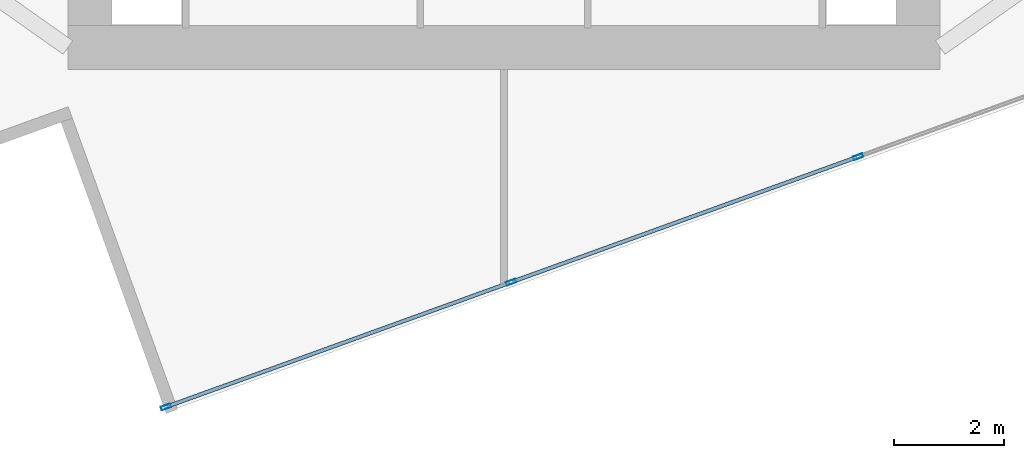
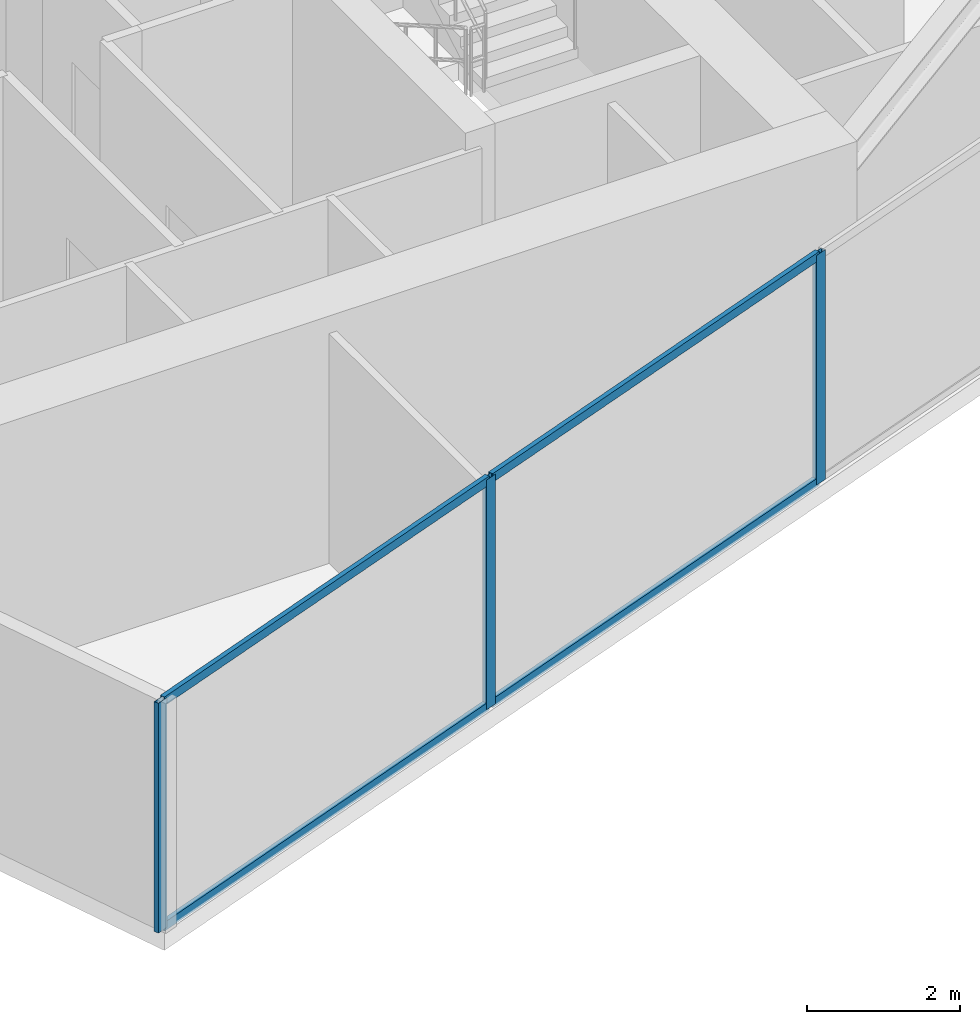
# One storey, part 3 of 21: 7 members, 1 element without a shape of its own.
"""IFC4 building model written with IfcOpenShell, lengths in metres."""

from ifc_helpers import new_model, si_unit, direction, frame, origin, origin_2d, place, context, subcontext, project, spatial, hollow_rectangle, extrude, source, transform, mapped, material, material_profile, profile_set, type_object, type_shapes, element, aggregate, save


model = new_model("IFC4")

# Units and contexts
model_context = context("Model", 3, precision=1e-05, world=origin(), true_north=direction((0.0, 1.0)))
body_context = subcontext(model_context, "Body", "Model", "MODEL_VIEW")
ifc_project = project(units=[si_unit("LENGTHUNIT", "METRE"), si_unit("AREAUNIT", "SQUARE_METRE"), si_unit("VOLUMEUNIT", "CUBIC_METRE"), si_unit("PLANEANGLEUNIT", "RADIAN"), si_unit("MASSUNIT", "GRAM", prefix="KILO")], contexts=[model_context])

# Site, building, storey
site_placement = place(None, origin())
site = spatial("IfcSite", under=ifc_project, at=site_placement, CompositionType="ELEMENT")
building_placement = place(site_placement, origin())
building = spatial("IfcBuilding", under=site, at=building_placement, Name="Krantzveldt Concourse Tower", CompositionType="ELEMENT")
storey_placement = place(building_placement, frame((0.0, 0.0, 335.60009765625)))
storey = spatial("IfcBuildingStorey", under=building, at=storey_placement, Name="L82", CompositionType="ELEMENT", Elevation=335.60009765625)

# Curtain wall, members
ifc_material = material(Name="Anodised aluminium 6063-T6", Category="aluminium")
curtain_wall_type = type_object("IfcCurtainWallType", Name="CW4", PredefinedType="USERDEFINED", material=ifc_material)
curtain_wall_placement = place(storey_placement, origin())
curtain_wall = element("IfcCurtainWall", 1, at=curtain_wall_placement, inside=storey, type_object=curtain_wall_type, Name="CW-L82-F07", ObjectType="UNITISED CURTAIN WALL", PredefinedType="USERDEFINED")
ifc_material_profile_1 = material_profile(ifc_material, hollow_rectangle(XDim=0.070068359375, YDim=0.179931640625, WallThickness=0.0048828125, at=origin_2d()), Name="Anodised aluminium 6063-T6", Category="aluminium")
ifc_profile_set_1 = profile_set([ifc_material_profile_1], Name="Anodised aluminium 6063-T6 - ALU-MULL 180x70x5")
member_type_1 = type_object("IfcMemberType", Name="CW-MUL-180", PredefinedType="MULLION", material=ifc_profile_set_1)
shared_shape_1 = source(origin(), body_context, "Body", "SweptSolid", [
    extrude(hollow_rectangle(XDim=0.070068359375, YDim=0.179931640625, WallThickness=0.0048828125, at=origin_2d()), origin(), (0.0, 0.0, 1.0), 3.669921875),
])
type_shapes(member_type_1, [shared_shape_1])
member_1_placement = place(storey_placement, frame((29.85986328125, 4.37255859375, 0.0), z_axis=(0.0, 0.0, 1.0), x_axis=(-0.339969050563, 0.940436624478, 0.0)))
member_1 = element("IfcMember", 2, at=member_1_placement, type_object=member_type_1, Name="CW-Z56 mullion 1", PredefinedType="MULLION", context=body_context, shape_type="MappedRepresentation", body=[
    mapped(shared_shape_1, transform((0.0, 0.0, 0.0), x_axis=(1.0, 0.0, 0.0), y_axis=(0.0, 1.0, 0.0), z_axis=(0.0, 0.0, 1.0), scale=1.0)),
])
member_2_placement = place(storey_placement, frame((36.1279296875, 6.638671875, 0.0), z_axis=(0.0, 0.0, 1.0), x_axis=(-0.339969050563, 0.940436624478, 0.0)))
member_2 = element("IfcMember", 3, at=member_2_placement, type_object=member_type_1, Name="CW-Z56 mullion 2", PredefinedType="MULLION", context=body_context, shape_type="MappedRepresentation", body=[
    mapped(shared_shape_1, transform((0.0, 0.0, 0.0), x_axis=(1.0, 0.0, 0.0), y_axis=(0.0, 1.0, 0.0), z_axis=(0.0, 0.0, 1.0), scale=1.0)),
])
member_3_placement = place(storey_placement, frame((42.4287109375, 8.916259765625, 0.0), z_axis=(0.0, 0.0, 1.0), x_axis=(-0.339969050563, 0.940436624478, 0.0)))
member_3 = element("IfcMember", 4, at=member_3_placement, type_object=member_type_1, Name="CW-Z56 mullion 3", PredefinedType="MULLION", context=body_context, shape_type="MappedRepresentation", body=[
    mapped(shared_shape_1, transform((0.0, 0.0, 0.0), x_axis=(1.0, 0.0, 0.0), y_axis=(0.0, 1.0, 0.0), z_axis=(0.0, 0.0, 1.0), scale=1.0)),
])
ifc_material_profile_2 = material_profile(ifc_material, hollow_rectangle(XDim=0.070068359375, YDim=0.139892578125, WallThickness=0.0048828125, at=origin_2d()), Name="Anodised aluminium 6063-T6", Category="aluminium")
ifc_profile_set_2 = profile_set([ifc_material_profile_2], Name="Anodised aluminium 6063-T6 - ALU-TRAN 140x70x5")
member_type_2 = type_object("IfcMemberType", Name="CW-TRN-150", PredefinedType="USERDEFINED", material=ifc_profile_set_2)
shared_shape_2 = source(origin(), body_context, "Body", "SweptSolid", [
    extrude(hollow_rectangle(XDim=0.070068359375, YDim=0.139892578125, WallThickness=0.0048828125, at=origin_2d()), origin(), (0.0, 0.0, 1.0), 6.594970703125),
])
member_4_placement = place(storey_placement, frame((29.892822265625, 4.384521484375, 0.034912109375), z_axis=(0.940431638086, 0.339982843811, 0.0), x_axis=(-0.339982843811, 0.940431638086, 0.0)))
member_4 = element("IfcMember", 5, at=member_4_placement, type_object=member_type_2, Name="CW-Z56 transom 1.1", ObjectType="TRANSOM", PredefinedType="USERDEFINED", context=body_context, shape_type="MappedRepresentation", body=[
    mapped(shared_shape_2, transform((0.0, 0.0, 0.0), x_axis=(1.0, 0.0, 0.0), y_axis=(0.0, 1.0, 0.0), z_axis=(0.0, 0.0, 1.0), scale=1.0)),
])
member_5_placement = place(storey_placement, frame((29.892822265625, 4.384521484375, 3.635009765625), z_axis=(0.940431638086, 0.339982843811, 0.0), x_axis=(-0.339982843811, 0.940431638086, 0.0)))
member_5 = element("IfcMember", 6, at=member_5_placement, type_object=member_type_2, Name="CW-Z56 transom 1.2", ObjectType="TRANSOM", PredefinedType="USERDEFINED", context=body_context, shape_type="MappedRepresentation", body=[
    mapped(shared_shape_2, transform((0.0, 0.0, 0.0), x_axis=(1.0, 0.0, 0.0), y_axis=(0.0, 1.0, 0.0), z_axis=(0.0, 0.0, 1.0), scale=1.0)),
])
shared_shape_3 = source(origin(), body_context, "Body", "SweptSolid", [
    extrude(hollow_rectangle(XDim=0.070068359375, YDim=0.139892578125, WallThickness=0.0048828125, at=origin_2d()), origin(), (0.0, 0.0, 1.0), 6.630126953125),
])
type_shapes(member_type_2, [shared_shape_2, shared_shape_3])
member_6_placement = place(storey_placement, frame((36.160888671875, 6.650390625, 0.034912109375), z_axis=(0.940429341199, 0.3399891972, 0.0), x_axis=(-0.3399891972, 0.940429341199, 0.0)))
member_6 = element("IfcMember", 7, at=member_6_placement, type_object=member_type_2, Name="CW-Z56 transom 2.1", ObjectType="TRANSOM", PredefinedType="USERDEFINED", context=body_context, shape_type="MappedRepresentation", body=[
    mapped(shared_shape_3, transform((0.0, 0.0, 0.0), x_axis=(1.0, 0.0, 0.0), y_axis=(0.0, 1.0, 0.0), z_axis=(0.0, 0.0, 1.0), scale=1.0)),
])
member_7_placement = place(storey_placement, frame((36.160888671875, 6.650390625, 3.635009765625), z_axis=(0.940429341199, 0.3399891972, 0.0), x_axis=(-0.3399891972, 0.940429341199, 0.0)))
member_7 = element("IfcMember", 8, at=member_7_placement, type_object=member_type_2, Name="CW-Z56 transom 2.2", ObjectType="TRANSOM", PredefinedType="USERDEFINED", context=body_context, shape_type="MappedRepresentation", body=[
    mapped(shared_shape_3, transform((0.0, 0.0, 0.0), x_axis=(1.0, 0.0, 0.0), y_axis=(0.0, 1.0, 0.0), z_axis=(0.0, 0.0, 1.0), scale=1.0)),
])
aggregate(curtain_wall, [member_1, member_2, member_3, member_4, member_5, member_6, member_7])

save(model, "model.ifc")
